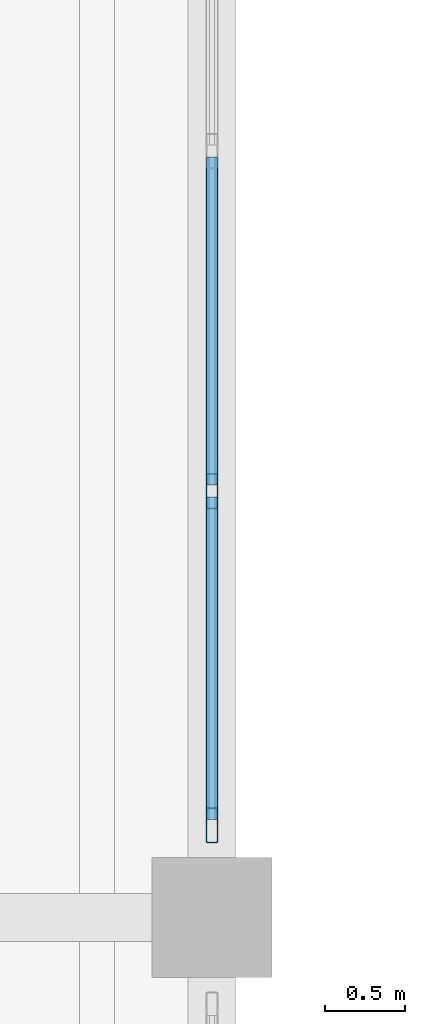
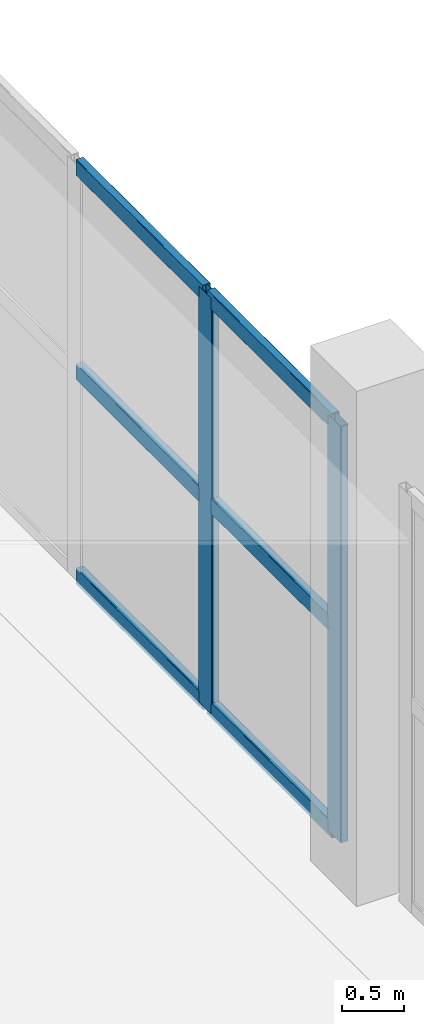
# One storey, part 38 of 77: 8 members, 1 element without a shape of its own.
"""IFC4 building model written with IfcOpenShell, lengths in metres."""

from ifc_helpers import new_model, si_unit, direction, frame, origin, origin_2d, place, context, subcontext, project, spatial, hollow_rectangle, extrude, material, layer, layer_set, material_profile, profile_set, type_object, element, aggregate, save


model = new_model("IFC4")

# Units and contexts
model_context = context("Model", 3, precision=1e-05, world=origin(), true_north=direction((0.0, 1.0)))
body_context = subcontext(model_context, "Body", "Model", "MODEL_VIEW")
ifc_project = project(units=[si_unit("LENGTHUNIT", "METRE"), si_unit("AREAUNIT", "SQUARE_METRE"), si_unit("VOLUMEUNIT", "CUBIC_METRE"), si_unit("PLANEANGLEUNIT", "RADIAN"), si_unit("MASSUNIT", "GRAM", prefix="KILO")], contexts=[model_context])

# Site, building, storey
site_placement = place(None, origin())
site = spatial("IfcSite", under=ifc_project, at=site_placement, CompositionType="ELEMENT")
building_placement = place(site_placement, origin())
building = spatial("IfcBuilding", under=site, at=building_placement, Name="Zulmaris Art Gallery", CompositionType="ELEMENT")
storey_placement = place(building_placement, frame((0.0, 0.0, 15.60009765625)))
storey = spatial("IfcBuildingStorey", under=building, at=storey_placement, Name="L03", CompositionType="ELEMENT", Elevation=15.60009765625)

# Curtain wall, members
ifc_material_1 = material(Name="Courtyard Artists Studio Curtain Wall", Category="aluminium")
ifc_layer = layer(ifc_material_1, 0.179931640625)
ifc_layer_set = layer_set([ifc_layer], Name="Courtyard Artists Studio Curtain Wall")
curtain_wall_type = type_object("IfcCurtainWallType", Name="CW-CW04", PredefinedType="NOTDEFINED", material=ifc_layer_set)
curtain_wall_placement = place(storey_placement, origin())
curtain_wall = element("IfcCurtainWall", 1, at=curtain_wall_placement, inside=storey, type_object=curtain_wall_type, Name="L03 curtain wall 149", PredefinedType="NOTDEFINED")
ifc_material_2 = material(Name="Anodised Bronze Aluminium", Category="aluminium")
ifc_material_profile_1 = material_profile(ifc_material_2, hollow_rectangle(XDim=0.074951171875, YDim=0.219970703125, WallThickness=0.0048828125, InnerFilletRadius=0.007568359375, OuterFilletRadius=0.012451171875, at=origin_2d()), Name="ALU 75x220x5")
ifc_profile_set_1 = profile_set([ifc_material_profile_1], Name="Anodised Bronze Aluminium")
member_type_1 = type_object("IfcMemberType", Name="CWMUL-02", PredefinedType="MULLION", material=ifc_profile_set_1)
member_1_placement = place(storey_placement, frame((158.39990234375, 41.37744140625, 0.0), z_axis=(0.0, 0.0, 1.0), x_axis=(-1.0, 0.0, 0.0)))
member_1 = element("IfcMember", 2, at=member_1_placement, type_object=member_type_1, Name="CW04 mullion 1", PredefinedType="MULLION", context=body_context, shape_type="SweptSolid", body=[
    extrude(hollow_rectangle(XDim=0.074951171875, YDim=0.219970703125, WallThickness=0.0048828125, InnerFilletRadius=0.007568359375, OuterFilletRadius=0.012451171875, at=origin_2d()), origin(), (0.0, 0.0, 1.0), 4.119873046875),
])
member_2_placement = place(storey_placement, frame((158.39990234375, 43.469970703125, 0.0), z_axis=(0.0, 0.0, 1.0), x_axis=(-1.0, 0.0, 0.0)))
member_2 = element("IfcMember", 3, at=member_2_placement, type_object=member_type_1, Name="CW04 mullion 2", PredefinedType="MULLION", context=body_context, shape_type="SweptSolid", body=[
    extrude(hollow_rectangle(XDim=0.074951171875, YDim=0.219970703125, WallThickness=0.0048828125, InnerFilletRadius=0.007568359375, OuterFilletRadius=0.012451171875, at=origin_2d()), origin(), (0.0, 0.0, 1.0), 4.119873046875),
])
ifc_material_profile_2 = material_profile(ifc_material_2, hollow_rectangle(XDim=0.074951171875, YDim=0.159912109375, WallThickness=0.00390625, InnerFilletRadius=0.006103515625, OuterFilletRadius=0.010009765625, at=origin_2d()), Name="ALU 75x160x4")
ifc_profile_set_2 = profile_set([ifc_material_profile_2], Name="Anodised Bronze Aluminium")
member_type_2 = type_object("IfcMemberType", Name="CWTRN-02", PredefinedType="USERDEFINED", material=ifc_profile_set_2)
member_3_placement = place(storey_placement, frame((158.39990234375, 41.4150390625, 0.037353515625), z_axis=(0.0, 1.0, 0.0), x_axis=(-1.0, 0.0, 0.0)))
member_3 = element("IfcMember", 4, at=member_3_placement, type_object=member_type_2, Name="CW04 transom 1.1", ObjectType="TRANSOM", PredefinedType="USERDEFINED", context=body_context, shape_type="SweptSolid", body=[
    extrude(hollow_rectangle(XDim=0.074951171875, YDim=0.159912109375, WallThickness=0.00390625, InnerFilletRadius=0.006103515625, OuterFilletRadius=0.010009765625, at=origin_2d()), origin(), (0.0, 0.0, 1.0), 2.017578125),
])
member_4_placement = place(storey_placement, frame((158.39990234375, 41.4150390625, 2.059814453125), z_axis=(0.0, 1.0, 0.0), x_axis=(-1.0, 0.0, 0.0)))
member_4 = element("IfcMember", 5, at=member_4_placement, type_object=member_type_2, Name="CW04 transom 1.2", ObjectType="TRANSOM", PredefinedType="USERDEFINED", context=body_context, shape_type="SweptSolid", body=[
    extrude(hollow_rectangle(XDim=0.074951171875, YDim=0.159912109375, WallThickness=0.00390625, InnerFilletRadius=0.006103515625, OuterFilletRadius=0.010009765625, at=origin_2d()), origin(), (0.0, 0.0, 1.0), 2.017578125),
])
member_5_placement = place(storey_placement, frame((158.39990234375, 41.4150390625, 4.08251953125), z_axis=(0.0, 1.0, 0.0), x_axis=(-1.0, 0.0, 0.0)))
member_5 = element("IfcMember", 6, at=member_5_placement, type_object=member_type_2, Name="CW04 transom 1.3", ObjectType="TRANSOM", PredefinedType="USERDEFINED", context=body_context, shape_type="SweptSolid", body=[
    extrude(hollow_rectangle(XDim=0.074951171875, YDim=0.159912109375, WallThickness=0.00390625, InnerFilletRadius=0.006103515625, OuterFilletRadius=0.010009765625, at=origin_2d()), origin(), (0.0, 0.0, 1.0), 2.017578125),
])
member_6_placement = place(storey_placement, frame((158.39990234375, 43.507568359375, 0.037353515625), z_axis=(0.0, 1.0, 0.0), x_axis=(-1.0, 0.0, 0.0)))
member_6 = element("IfcMember", 7, at=member_6_placement, type_object=member_type_2, Name="CW04 transom 2.1", ObjectType="TRANSOM", PredefinedType="USERDEFINED", context=body_context, shape_type="SweptSolid", body=[
    extrude(hollow_rectangle(XDim=0.074951171875, YDim=0.159912109375, WallThickness=0.00390625, InnerFilletRadius=0.006103515625, OuterFilletRadius=0.010009765625, at=origin_2d()), origin(), (0.0, 0.0, 1.0), 2.054931640625),
])
member_7_placement = place(storey_placement, frame((158.39990234375, 43.507568359375, 2.059814453125), z_axis=(0.0, 1.0, 0.0), x_axis=(-1.0, 0.0, 0.0)))
member_7 = element("IfcMember", 8, at=member_7_placement, type_object=member_type_2, Name="CW04 transom 2.2", ObjectType="TRANSOM", PredefinedType="USERDEFINED", context=body_context, shape_type="SweptSolid", body=[
    extrude(hollow_rectangle(XDim=0.074951171875, YDim=0.159912109375, WallThickness=0.00390625, InnerFilletRadius=0.006103515625, OuterFilletRadius=0.010009765625, at=origin_2d()), origin(), (0.0, 0.0, 1.0), 2.054931640625),
])
member_8_placement = place(storey_placement, frame((158.39990234375, 43.507568359375, 4.08251953125), z_axis=(0.0, 1.0, 0.0), x_axis=(-1.0, 0.0, 0.0)))
member_8 = element("IfcMember", 9, at=member_8_placement, type_object=member_type_2, Name="CW04 transom 2.3", ObjectType="TRANSOM", PredefinedType="USERDEFINED", context=body_context, shape_type="SweptSolid", body=[
    extrude(hollow_rectangle(XDim=0.074951171875, YDim=0.159912109375, WallThickness=0.00390625, InnerFilletRadius=0.006103515625, OuterFilletRadius=0.010009765625, at=origin_2d()), origin(), (0.0, 0.0, 1.0), 2.054931640625),
])
aggregate(curtain_wall, [member_1, member_2, member_3, member_4, member_5, member_6, member_7, member_8])

save(model, "model.ifc")
